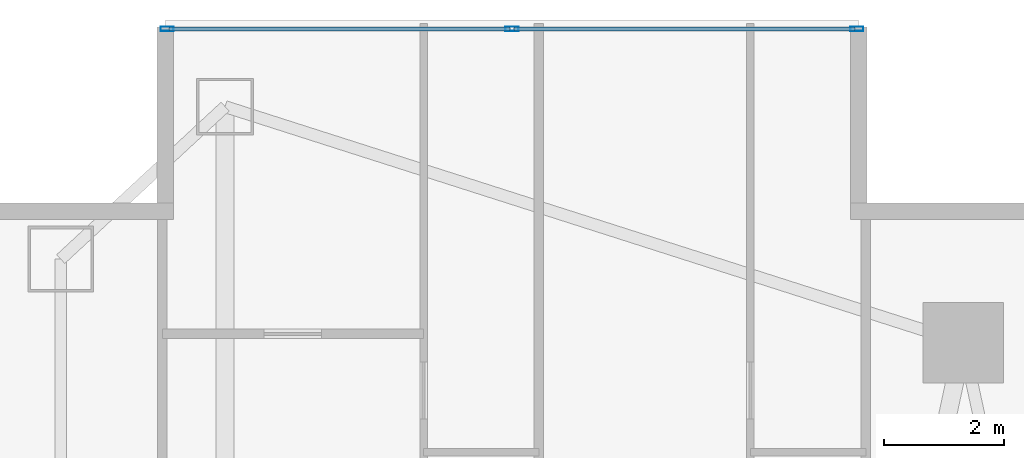
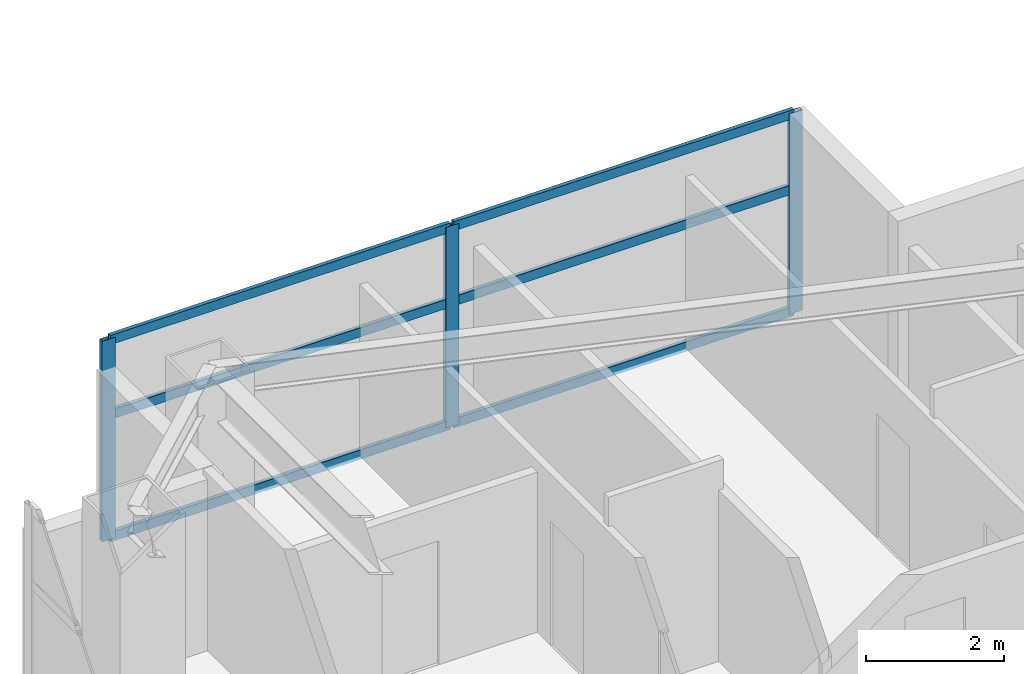
# One storey, part 19 of 29: 9 members, 1 element without a shape of its own.
"""IFC4 building model written with IfcOpenShell, lengths in metres."""

from ifc_helpers import new_model, si_unit, direction, frame, origin, origin_2d, place, context, subcontext, project, spatial, hollow_rectangle, extrude, material, layer, layer_set, material_profile, profile_set, type_object, element, aggregate, save


model = new_model("IFC4")

# Units and contexts
model_context = context("Model", 3, precision=1e-05, world=origin(), true_north=direction((0.0, 1.0)))
body_context = subcontext(model_context, "Body", "Model", "MODEL_VIEW")
ifc_project = project(units=[si_unit("LENGTHUNIT", "METRE"), si_unit("AREAUNIT", "SQUARE_METRE"), si_unit("VOLUMEUNIT", "CUBIC_METRE"), si_unit("PLANEANGLEUNIT", "RADIAN"), si_unit("MASSUNIT", "GRAM", prefix="KILO")], contexts=[model_context])

# Site, building, storey
site_placement = place(None, origin())
site = spatial("IfcSite", under=ifc_project, at=site_placement, CompositionType="ELEMENT")
building_placement = place(site_placement, origin())
building = spatial("IfcBuilding", under=site, at=building_placement, Name="Calvorn Quay Hotel", CompositionType="ELEMENT")
storey_placement = place(building_placement, frame((0.0, 0.0, 66.0)))
storey = spatial("IfcBuildingStorey", under=building, at=storey_placement, Name="L15", CompositionType="ELEMENT", Elevation=66.0)

# Curtain wall, members
ifc_material_1 = material(Name="Pale Anodised Aluminium and Low-E Glass", Category="aluminium")
ifc_layer = layer(ifc_material_1, 0.219970703125)
ifc_layer_set = layer_set([ifc_layer], Name="CW-SYS-Z1")
curtain_wall_type = type_object("IfcCurtainWallType", Name="CW-SYS-Z1", PredefinedType="NOTDEFINED", material=ifc_layer_set)
curtain_wall_placement = place(storey_placement, origin())
curtain_wall = element("IfcCurtainWall", 1, at=curtain_wall_placement, inside=storey, type_object=curtain_wall_type, Name="Inner Court Curtain Wall L15-N1", PredefinedType="NOTDEFINED")
ifc_material_2 = material(Name="Pale Anodised Aluminium 6063-T6", Category="aluminium")
ifc_material_profile_1 = material_profile(ifc_material_2, hollow_rectangle(XDim=0.074951171875, YDim=0.219970703125, WallThickness=0.00439453125, at=origin_2d()), Name="ALU-M220x75x4.5")
ifc_profile_set_1 = profile_set([ifc_material_profile_1], Name="Pale Anodised Aluminium 6063-T6")
member_type_1 = type_object("IfcMemberType", Name="CW-SYS-Z1-MUL", PredefinedType="MULLION", material=ifc_profile_set_1)
member_1_placement = place(storey_placement, frame((14.77001953125, 50.85009765625, 0.0), z_axis=(0.0, 0.0, 1.0), x_axis=(0.0, -1.0, 0.0)))
member_1 = element("IfcMember", 2, at=member_1_placement, type_object=member_type_1, Name="CW-L15-N1 mullion 1", PredefinedType="MULLION", context=body_context, shape_type="SweptSolid", body=[
    extrude(hollow_rectangle(XDim=0.074951171875, YDim=0.219970703125, WallThickness=0.00439453125, at=origin_2d()), origin(), (0.0, 0.0, 1.0), 3.56005859375),
])
member_2_placement = place(storey_placement, frame((9.0, 50.85009765625, 0.0), z_axis=(0.0, 0.0, 1.0), x_axis=(0.0, -1.0, 0.0)))
member_2 = element("IfcMember", 3, at=member_2_placement, type_object=member_type_1, Name="CW-L15-N1 mullion 2", PredefinedType="MULLION", context=body_context, shape_type="SweptSolid", body=[
    extrude(hollow_rectangle(XDim=0.074951171875, YDim=0.219970703125, WallThickness=0.00439453125, at=origin_2d()), origin(), (0.0, 0.0, 1.0), 3.56005859375),
])
member_3_placement = place(storey_placement, frame((3.22998046875, 50.85009765625, 0.0), z_axis=(0.0, 0.0, 1.0), x_axis=(0.0, -1.0, 0.0)))
member_3 = element("IfcMember", 4, at=member_3_placement, type_object=member_type_1, Name="CW-L15-N1 mullion 3", PredefinedType="MULLION", context=body_context, shape_type="SweptSolid", body=[
    extrude(hollow_rectangle(XDim=0.074951171875, YDim=0.219970703125, WallThickness=0.00439453125, at=origin_2d()), origin(), (0.0, 0.0, 1.0), 3.56005859375),
])
ifc_material_3 = material(Name="Pale Anodised Aluminium 6063-T6", Category="aluminium")
ifc_material_profile_2 = material_profile(ifc_material_3, hollow_rectangle(XDim=0.06494140625, YDim=0.1650390625, WallThickness=0.00341796875, at=origin_2d()), Name="ALU-T165x65x3.5")
ifc_profile_set_2 = profile_set([ifc_material_profile_2], Name="Pale Anodised Aluminium 6063-T6")
member_type_2 = type_object("IfcMemberType", Name="CW-SYS-Z1-TRN", PredefinedType="USERDEFINED", material=ifc_profile_set_2)
member_4_placement = place(storey_placement, frame((14.739990234375, 50.85009765625, 0.030029296875), z_axis=(-1.0, 0.0, 0.0), x_axis=(0.0, -1.0, 0.0)))
member_4 = element("IfcMember", 5, at=member_4_placement, type_object=member_type_2, Name="CW-L15-N1 transom 1.1", ObjectType="TRANSOM", PredefinedType="USERDEFINED", context=body_context, shape_type="SweptSolid", body=[
    extrude(hollow_rectangle(XDim=0.06494140625, YDim=0.1650390625, WallThickness=0.00341796875, at=origin_2d()), origin(), (0.0, 0.0, 1.0), 5.7099609375),
])
member_5_placement = place(storey_placement, frame((14.739990234375, 50.85009765625, 2.199951171875), z_axis=(-1.0, 0.0, 0.0), x_axis=(0.0, -1.0, 0.0)))
member_5 = element("IfcMember", 6, at=member_5_placement, type_object=member_type_2, Name="CW-L15-N1 transom 1.2", ObjectType="TRANSOM", PredefinedType="USERDEFINED", context=body_context, shape_type="SweptSolid", body=[
    extrude(hollow_rectangle(XDim=0.06494140625, YDim=0.1650390625, WallThickness=0.00341796875, at=origin_2d()), origin(), (0.0, 0.0, 1.0), 5.7099609375),
])
member_6_placement = place(storey_placement, frame((14.739990234375, 50.85009765625, 3.530029296875), z_axis=(-1.0, 0.0, 0.0), x_axis=(0.0, -1.0, 0.0)))
member_6 = element("IfcMember", 7, at=member_6_placement, type_object=member_type_2, Name="CW-L15-N1 transom 1.3", ObjectType="TRANSOM", PredefinedType="USERDEFINED", context=body_context, shape_type="SweptSolid", body=[
    extrude(hollow_rectangle(XDim=0.06494140625, YDim=0.1650390625, WallThickness=0.00341796875, at=origin_2d()), origin(), (0.0, 0.0, 1.0), 5.7099609375),
])
member_7_placement = place(storey_placement, frame((8.969970703125, 50.85009765625, 0.030029296875), z_axis=(-1.0, 0.0, 0.0), x_axis=(0.0, -1.0, 0.0)))
member_7 = element("IfcMember", 8, at=member_7_placement, type_object=member_type_2, Name="CW-L15-N1 transom 2.1", ObjectType="TRANSOM", PredefinedType="USERDEFINED", context=body_context, shape_type="SweptSolid", body=[
    extrude(hollow_rectangle(XDim=0.06494140625, YDim=0.1650390625, WallThickness=0.00341796875, at=origin_2d()), origin(), (0.0, 0.0, 1.0), 5.7099609375),
])
member_8_placement = place(storey_placement, frame((8.969970703125, 50.85009765625, 2.199951171875), z_axis=(-1.0, 0.0, 0.0), x_axis=(0.0, -1.0, 0.0)))
member_8 = element("IfcMember", 9, at=member_8_placement, type_object=member_type_2, Name="CW-L15-N1 transom 2.2", ObjectType="TRANSOM", PredefinedType="USERDEFINED", context=body_context, shape_type="SweptSolid", body=[
    extrude(hollow_rectangle(XDim=0.06494140625, YDim=0.1650390625, WallThickness=0.00341796875, at=origin_2d()), origin(), (0.0, 0.0, 1.0), 5.7099609375),
])
member_9_placement = place(storey_placement, frame((8.969970703125, 50.85009765625, 3.530029296875), z_axis=(-1.0, 0.0, 0.0), x_axis=(0.0, -1.0, 0.0)))
member_9 = element("IfcMember", 10, at=member_9_placement, type_object=member_type_2, Name="CW-L15-N1 transom 2.3", ObjectType="TRANSOM", PredefinedType="USERDEFINED", context=body_context, shape_type="SweptSolid", body=[
    extrude(hollow_rectangle(XDim=0.06494140625, YDim=0.1650390625, WallThickness=0.00341796875, at=origin_2d()), origin(), (0.0, 0.0, 1.0), 5.7099609375),
])
aggregate(curtain_wall, [member_1, member_2, member_3, member_4, member_5, member_6, member_7, member_8, member_9])

save(model, "model.ifc")
